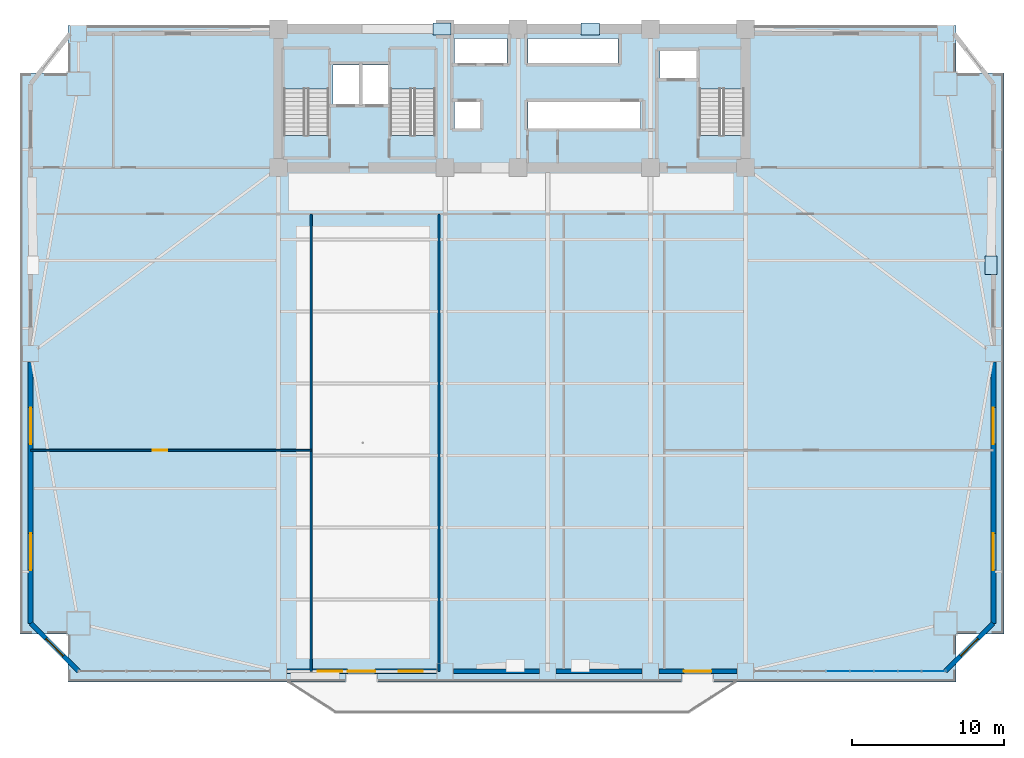
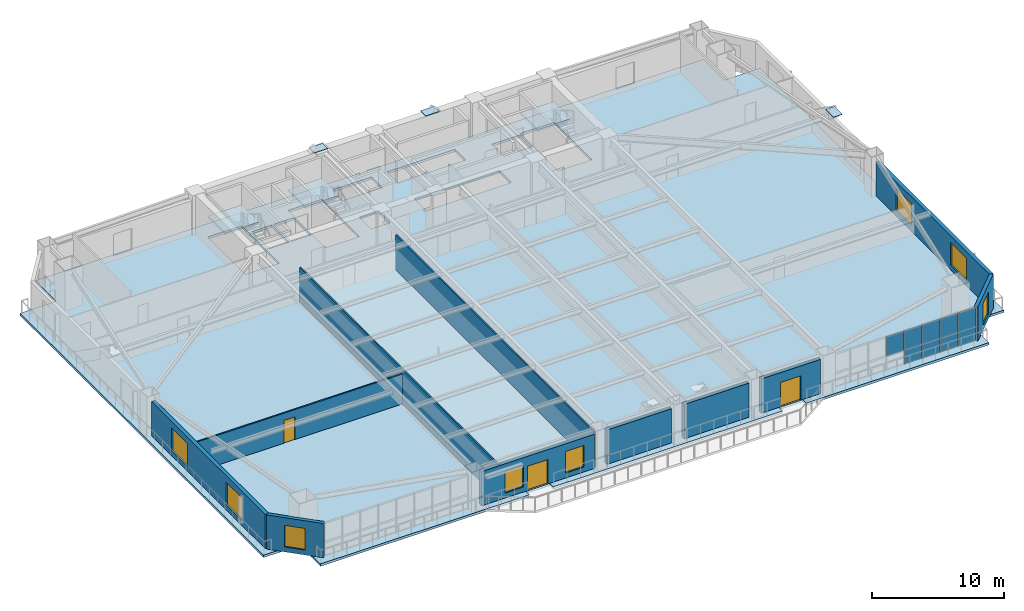
# One storey, part 8 of 17: 12 plates, 11 walls, 8 windows, 4 slabs, 3 doors, 11 openings, 4 elements without a shape of their own.
"""IFC4 building model written with IfcOpenShell, lengths in metres."""

from ifc_helpers import new_model, si_unit, direction, frame, frame_2d, origin, origin_2d, place, context, subcontext, project, spatial, polyline, rectangle, outline, extrude, source, transform, mapped, material, layer, layer_set, type_object, element, fill, aggregate, save


model = new_model("IFC4")

# Units and contexts
model_context = context("Model", 3, precision=1e-05, world=origin(), true_north=direction((0.0, 1.0)))
body_context = subcontext(model_context, "Body", "Model", "MODEL_VIEW")
ifc_project = project(units=[si_unit("LENGTHUNIT", "METRE"), si_unit("AREAUNIT", "SQUARE_METRE"), si_unit("VOLUMEUNIT", "CUBIC_METRE"), si_unit("PLANEANGLEUNIT", "RADIAN"), si_unit("MASSUNIT", "GRAM", prefix="KILO")], contexts=[model_context])

# Site, building, storey
site_placement = place(None, origin())
site = spatial("IfcSite", under=ifc_project, at=site_placement, CompositionType="ELEMENT")
building_placement = place(site_placement, origin())
building = spatial("IfcBuilding", under=site, at=building_placement, Name="Giltprow Tower", CompositionType="ELEMENT")
storey_placement = place(building_placement, frame((0.0, 0.0, 53.300048828125)))
storey = spatial("IfcBuildingStorey", under=building, at=storey_placement, Name="L13", CompositionType="ELEMENT", Elevation=53.300048828125)

# Slab
ifc_material_1 = material(Name="Concrete C40", Category="concrete")
ifc_layer_1 = layer(ifc_material_1, 0.219970703125, Name="Concrete C40")
ifc_layer_set_1 = layer_set([ifc_layer_1], Name="Concrete C40")
slab_type_1 = type_object("IfcSlabType", Name="SLB-OFF-220", PredefinedType="FLOOR", material=ifc_layer_set_1)
slab_1_placement = place(storey_placement, frame((0.0, 0.0, -0.219970703125)))
element("IfcSlab", 1, at=slab_1_placement, inside=storey, type_object=slab_type_1, Name="L13 Structural Composite Floor Slab", PredefinedType="FLOOR", context=body_context, shape_type="SweptSolid", body=[
    extrude(outline(polyline([(6.01806640625, 3.654052734375), (6.01806640625, 6.802001953125), (2.8701171875, 6.802001953125), (2.8701171875, 43.652099609375), (6.01806640625, 43.652099609375), (6.01806640625, 46.800048828125), (64.382080078125, 46.800048828125), (64.382080078125, 43.652099609375), (67.530029296875, 43.652099609375), (67.530029296875, 6.802001953125), (64.382080078125, 6.802001953125), (64.382080078125, 3.654052734375), (48.449951171875, 3.654052734375), (48.449951171875, 4.174072265625), (46.35009765625, 4.174072265625), (46.35009765625, 3.654052734375), (26.35009765625, 3.654052734375), (26.35009765625, 4.174072265625), (24.25, 4.174072265625), (24.25, 3.654052734375), (6.01806640625, 3.654052734375)]), holes=[polyline([(33.10009765625, 41.800048828125), (31.419921875, 41.800048828125), (31.419921875, 40.0), (33.10009765625, 40.0), (33.10009765625, 41.800048828125)]), polyline([(23.159912109375, 39.570068359375), (23.159912109375, 45.25), (20.199951171875, 45.25), (20.199951171875, 39.570068359375), (23.159912109375, 39.570068359375)]), polyline([(30.159912109375, 45.25), (27.199951171875, 45.25), (27.199951171875, 39.570068359375), (30.159912109375, 39.570068359375), (30.159912109375, 45.25)]), polyline([(25.169921875, 41.60009765625), (25.169921875, 44.199951171875), (23.449951171875, 44.199951171875), (23.449951171875, 41.60009765625), (25.169921875, 41.60009765625)]), polyline([(27.10009765625, 41.60009765625), (27.10009765625, 44.199951171875), (25.35009765625, 44.199951171875), (25.35009765625, 41.60009765625), (27.10009765625, 41.60009765625)]), polyline([(43.659912109375, 40.0), (43.659912109375, 41.800048828125), (36.239990234375, 41.800048828125), (36.239990234375, 40.0), (43.659912109375, 40.0)]), polyline([(50.4599609375, 39.570068359375), (50.4599609375, 45.25), (47.5, 45.25), (47.5, 39.570068359375), (50.4599609375, 39.570068359375)]), polyline([(47.3798828125, 45.10009765625), (44.919921875, 45.10009765625), (44.919921875, 43.300048828125), (47.3798828125, 43.300048828125), (47.3798828125, 45.10009765625)]), polyline([(34.8798828125, 44.300048828125), (34.8798828125, 45.919921875), (31.419921875, 45.919921875), (31.419921875, 44.300048828125), (34.8798828125, 44.300048828125)]), polyline([(42.169921875, 44.300048828125), (42.169921875, 45.919921875), (36.239990234375, 45.919921875), (36.239990234375, 44.300048828125), (42.169921875, 44.300048828125)])]), origin(), (0.0, 0.0, 1.0), 0.219970703125),
])

# Stair, slab
stair_type_1 = type_object("IfcStairType", Name="STR-ST-1", PredefinedType="HALF_TURN_STAIR", material=ifc_material_1)
stair_1_placement = place(storey_placement, origin())
stair_1 = element("IfcStair", 2, at=stair_1_placement, inside=storey, type_object=stair_type_1, Name="L13 Core Exit Stair ST-1", PredefinedType="HALF_TURN_STAIR")
ifc_layer_2 = layer(ifc_material_1, 0.179931640625, Name="Concrete C40")
ifc_layer_set_2 = layer_set([ifc_layer_2], Name="Concrete C40")
slab_type_2 = type_object("IfcSlabType", Name="SLD-ST-1", PredefinedType="LANDING", material=ifc_layer_set_2)
slab_2_placement = place(storey_placement, frame((0.0, 0.0, 1.77001953125)))
slab_2 = element("IfcSlab", 3, at=slab_2_placement, type_object=slab_type_2, Name="ST-1 landing 1", PredefinedType="LANDING", context=body_context, shape_type="SweptSolid", body=[
    extrude(outline(polyline([(23.159912109375, 42.6298828125), (23.159912109375, 45.25), (20.199951171875, 45.25), (20.199951171875, 42.6298828125), (23.159912109375, 42.6298828125)])), origin(), (0.0, 0.0, 1.0), 0.179931640625),
])
aggregate(stair_1, [slab_2])

stair_type_2 = type_object("IfcStairType", Name="STR-ST-2", PredefinedType="HALF_TURN_STAIR", material=ifc_material_1)
stair_2_placement = place(storey_placement, origin())
stair_2 = element("IfcStair", 4, at=stair_2_placement, inside=storey, type_object=stair_type_2, Name="L13 Core Exit Stair ST-2", PredefinedType="HALF_TURN_STAIR")
ifc_layer_3 = layer(ifc_material_1, 0.18798828125, Name="Concrete C40")
ifc_layer_set_3 = layer_set([ifc_layer_3], Name="Concrete C40")
slab_type_3 = type_object("IfcSlabType", Name="SLD-ST-2", PredefinedType="LANDING", material=ifc_layer_set_3)
slab_3_placement = place(storey_placement, frame((0.0, 0.0, 1.761962890625)))
slab_3 = element("IfcSlab", 5, at=slab_3_placement, type_object=slab_type_3, Name="ST-2 landing 1", PredefinedType="LANDING", context=body_context, shape_type="SweptSolid", body=[
    extrude(outline(polyline([(30.159912109375, 42.6298828125), (30.159912109375, 45.25), (27.199951171875, 45.25), (27.199951171875, 42.6298828125), (30.159912109375, 42.6298828125)])), origin(), (0.0, 0.0, 1.0), 0.18798828125),
])
aggregate(stair_2, [slab_3])

stair_type_3 = type_object("IfcStairType", Name="STR-ST-3", PredefinedType="HALF_TURN_STAIR", material=ifc_material_1)
stair_3_placement = place(storey_placement, origin())
stair_3 = element("IfcStair", 6, at=stair_3_placement, inside=storey, type_object=stair_type_3, Name="L13 Core Exit Stair ST-3", PredefinedType="HALF_TURN_STAIR")
ifc_layer_4 = layer(ifc_material_1, 0.196044921875, Name="Concrete C40")
ifc_layer_set_4 = layer_set([ifc_layer_4], Name="Concrete C40")
slab_type_4 = type_object("IfcSlabType", Name="SLD-ST-3", PredefinedType="LANDING", material=ifc_layer_set_4)
slab_4_placement = place(storey_placement, frame((0.0, 0.0, 1.75390625)))
slab_4 = element("IfcSlab", 7, at=slab_4_placement, type_object=slab_type_4, Name="ST-3 landing 1", PredefinedType="LANDING", context=body_context, shape_type="SweptSolid", body=[
    extrude(outline(polyline([(50.4599609375, 42.6298828125), (50.4599609375, 45.25), (47.5, 45.25), (47.5, 42.6298828125), (50.4599609375, 42.6298828125)])), origin(), (0.0, 0.0, 1.0), 0.196044921875),
])
aggregate(stair_3, [slab_4])

# Plates
ifc_material_2 = material(Name="Structural steel Q420GJC", Category="steel")
plate_type_1 = type_object("IfcPlateType", Name="PLT-CAP-SEAL", PredefinedType="USERDEFINED", material=ifc_material_2)
shared_shape_1 = source(origin(), body_context, "Body", "SweptSolid", [
    extrude(rectangle(XDim=1.199951171875, YDim=0.800048828125, at=origin_2d()), origin(), (0.0, 0.0, 1.0), 0.034912109375),
])
for number, where, z_axis, x_axis, name in (
    (8, (30.60595703125, 46.550048828125, 3.74267578125), (0.0, 0.0, 1.0), (1.0, 0.0, 0.0), "Mega-Brace Node L13-N-LB"),
    (9, (40.340087890625, 46.550048828125, 3.74267578125), (0.0, 0.0, 1.0), (1.0, 0.0, 0.0), "Mega-Brace Node L13-N-RB"),
    (10, (66.669921875, 31.027099609375, 3.88232421875), (0.0, 0.0, 1.0), (0.0, 1.0, 0.0), "Mega-Brace Node L13-E-RB"),
):
    element("IfcPlate", number, at=place(storey_placement, frame(where, z_axis=z_axis, x_axis=x_axis)), inside=storey, type_object=plate_type_1, Name=name, ObjectType="SPLICE", PredefinedType="USERDEFINED", context=body_context, shape_type="MappedRepresentation", body=[
        mapped(shared_shape_1, transform((0.0, 0.0, 0.0), x_axis=(1.0, 0.0, 0.0), y_axis=(0.0, 1.0, 0.0), z_axis=(0.0, 0.0, 1.0), scale=1.0)),
    ])

# Curtain wall, plates
ifc_material_3 = material(Name="Anodized bronze", Category="metal")
ifc_layer_5 = layer(ifc_material_3, 0.179931640625, Name="Anodized bronze")
ifc_layer_set_5 = layer_set([ifc_layer_5], Name="Anodized bronze")
curtain_wall_type = type_object("IfcCurtainWallType", Name="CW-OFF-RECESSED", PredefinedType="NOTDEFINED", material=ifc_layer_set_5)
curtain_wall_placement = place(storey_placement, origin())
curtain_wall = element("IfcCurtainWall", 11, at=curtain_wall_placement, inside=storey, type_object=curtain_wall_type, Name="L13 South Recessed Curtain Wall 6", PredefinedType="NOTDEFINED")
ifc_material_4 = material(Name="Insulated glass", Category="glass")
plate_type_2 = type_object("IfcPlateType", Name="CW-PANEL-IGU-28", PredefinedType="CURTAIN_PANEL", material=ifc_material_4)
shared_shape_2 = source(origin(), body_context, "Body", "SweptSolid", [
    extrude(rectangle(XDim=1.54296875, YDim=0.028076171875, at=origin_2d()), origin(), (0.0, 0.0, 1.0), 1.259033203125),
])
plate_1_placement = place(storey_placement, frame((58.177001953125, 4.35400390625, 0.05419921875), z_axis=(0.0, 0.0, 1.0), x_axis=(1.0, 0.0, 0.0)))
plate_1 = element("IfcPlate", 12, at=plate_1_placement, type_object=plate_type_2, Name="L13 South Recessed Curtain Wall 6 Glazing Panel 5-1", PredefinedType="CURTAIN_PANEL", context=body_context, shape_type="MappedRepresentation", body=[
    mapped(shared_shape_2, transform((0.0, 0.0, 0.0), x_axis=(1.0, 0.0, 0.0), y_axis=(0.0, 1.0, 0.0), z_axis=(0.0, 0.0, 1.0), scale=1.0)),
])
plate_2_placement = place(storey_placement, frame((59.75, 4.35400390625, 0.05419921875), z_axis=(0.0, 0.0, 1.0), x_axis=(1.0, 0.0, 0.0)))
plate_2 = element("IfcPlate", 13, at=plate_2_placement, type_object=plate_type_2, Name="L13 South Recessed Curtain Wall 6 Glazing Panel 6-1", PredefinedType="CURTAIN_PANEL", context=body_context, shape_type="MappedRepresentation", body=[
    mapped(shared_shape_2, transform((0.0, 0.0, 0.0), x_axis=(1.0, 0.0, 0.0), y_axis=(0.0, 1.0, 0.0), z_axis=(0.0, 0.0, 1.0), scale=1.0)),
])
plate_3_placement = place(storey_placement, frame((61.322998046875, 4.35400390625, 0.05419921875), z_axis=(0.0, 0.0, 1.0), x_axis=(1.0, 0.0, 0.0)))
plate_3 = element("IfcPlate", 14, at=plate_3_placement, type_object=plate_type_2, Name="L13 South Recessed Curtain Wall 6 Glazing Panel 7-1", PredefinedType="CURTAIN_PANEL", context=body_context, shape_type="MappedRepresentation", body=[
    mapped(shared_shape_2, transform((0.0, 0.0, 0.0), x_axis=(1.0, 0.0, 0.0), y_axis=(0.0, 1.0, 0.0), z_axis=(0.0, 0.0, 1.0), scale=1.0)),
])
plate_4_placement = place(storey_placement, frame((62.89599609375, 4.35400390625, 0.05419921875), z_axis=(0.0, 0.0, 1.0), x_axis=(1.0, 0.0, 0.0)))
plate_4 = element("IfcPlate", 15, at=plate_4_placement, type_object=plate_type_2, Name="L13 South Recessed Curtain Wall 6 Glazing Panel 8-1", PredefinedType="CURTAIN_PANEL", context=body_context, shape_type="MappedRepresentation", body=[
    mapped(shared_shape_2, transform((0.0, 0.0, 0.0), x_axis=(1.0, 0.0, 0.0), y_axis=(0.0, 1.0, 0.0), z_axis=(0.0, 0.0, 1.0), scale=1.0)),
])
shared_shape_3 = source(origin(), body_context, "Body", "SweptSolid", [
    extrude(rectangle(XDim=1.54296875, YDim=0.028076171875, at=origin_2d()), origin(), (0.0, 0.0, 1.0), 1.764892578125),
])
plate_5_placement = place(storey_placement, frame((56.60498046875, 4.35400390625, 1.34033203125), z_axis=(0.0, 0.0, 1.0), x_axis=(1.0, 0.0, 0.0)))
plate_5 = element("IfcPlate", 16, at=plate_5_placement, type_object=plate_type_2, Name="L13 South Recessed Curtain Wall 6 Glazing Panel 4-2", PredefinedType="CURTAIN_PANEL", context=body_context, shape_type="MappedRepresentation", body=[
    mapped(shared_shape_3, transform((0.0, 0.0, 0.0), x_axis=(1.0, 0.0, 0.0), y_axis=(0.0, 1.0, 0.0), z_axis=(0.0, 0.0, 1.0), scale=1.0)),
])
plate_6_placement = place(storey_placement, frame((58.177001953125, 4.35400390625, 1.34033203125), z_axis=(0.0, 0.0, 1.0), x_axis=(1.0, 0.0, 0.0)))
plate_6 = element("IfcPlate", 17, at=plate_6_placement, type_object=plate_type_2, Name="L13 South Recessed Curtain Wall 6 Glazing Panel 5-2", PredefinedType="CURTAIN_PANEL", context=body_context, shape_type="MappedRepresentation", body=[
    mapped(shared_shape_3, transform((0.0, 0.0, 0.0), x_axis=(1.0, 0.0, 0.0), y_axis=(0.0, 1.0, 0.0), z_axis=(0.0, 0.0, 1.0), scale=1.0)),
])
plate_7_placement = place(storey_placement, frame((59.75, 4.35400390625, 1.34033203125), z_axis=(0.0, 0.0, 1.0), x_axis=(1.0, 0.0, 0.0)))
plate_7 = element("IfcPlate", 18, at=plate_7_placement, type_object=plate_type_2, Name="L13 South Recessed Curtain Wall 6 Glazing Panel 6-2", PredefinedType="CURTAIN_PANEL", context=body_context, shape_type="MappedRepresentation", body=[
    mapped(shared_shape_3, transform((0.0, 0.0, 0.0), x_axis=(1.0, 0.0, 0.0), y_axis=(0.0, 1.0, 0.0), z_axis=(0.0, 0.0, 1.0), scale=1.0)),
])
plate_8_placement = place(storey_placement, frame((61.322998046875, 4.35400390625, 1.34033203125), z_axis=(0.0, 0.0, 1.0), x_axis=(1.0, 0.0, 0.0)))
plate_8 = element("IfcPlate", 19, at=plate_8_placement, type_object=plate_type_2, Name="L13 South Recessed Curtain Wall 6 Glazing Panel 7-2", PredefinedType="CURTAIN_PANEL", context=body_context, shape_type="MappedRepresentation", body=[
    mapped(shared_shape_3, transform((0.0, 0.0, 0.0), x_axis=(1.0, 0.0, 0.0), y_axis=(0.0, 1.0, 0.0), z_axis=(0.0, 0.0, 1.0), scale=1.0)),
])
plate_9_placement = place(storey_placement, frame((62.89599609375, 4.35400390625, 1.34033203125), z_axis=(0.0, 0.0, 1.0), x_axis=(1.0, 0.0, 0.0)))
plate_9 = element("IfcPlate", 20, at=plate_9_placement, type_object=plate_type_2, Name="L13 South Recessed Curtain Wall 6 Glazing Panel 8-2", PredefinedType="CURTAIN_PANEL", context=body_context, shape_type="MappedRepresentation", body=[
    mapped(shared_shape_3, transform((0.0, 0.0, 0.0), x_axis=(1.0, 0.0, 0.0), y_axis=(0.0, 1.0, 0.0), z_axis=(0.0, 0.0, 1.0), scale=1.0)),
])
aggregate(curtain_wall, [plate_5, plate_1, plate_6, plate_2, plate_7, plate_3, plate_8, plate_4, plate_9])

# Wall, opening, window
ifc_material_5 = material(Name="Precast concrete C40", Category="concrete")
ifc_layer_6 = layer(ifc_material_5, 0.300048828125, Name="Precast concrete C40")
ifc_layer_set_6 = layer_set([ifc_layer_6], Name="Precast concrete C40")
wall_type_1 = type_object("IfcWallType", Name="EW-NOTCH-CHAMFER-300", PredefinedType="SOLIDWALL", material=ifc_layer_set_6)
wall_1_placement = place(storey_placement, frame((3.570068359375, 7.501953125, 0.0), z_axis=(0.0, 0.0, 1.0), x_axis=(0.707106781187, -0.707106781187, 0.0)))
wall_1 = element("IfcWall", 21, at=wall_1_placement, inside=storey, type_object=wall_type_1, Name="L13 Corner Notch Wall SW", PredefinedType="SOLIDWALL", context=body_context, shape_type="SweptSolid", body=[
    extrude(rectangle(XDim=4.451904296875, YDim=0.300048828125, at=frame_2d((2.22607421875, 0.0))), origin(), (0.0, 0.0, 1.0), 3.159912109375),
])
opening_1_placement = place(wall_1_placement, frame((1.426025390625, 0.0, 0.449951171875)))
opening_1 = element("IfcOpeningElement", 22, at=opening_1_placement, cuts=wall_1, Name="Opening WN17", PredefinedType="OPENING", context=body_context, shape_type="SweptSolid", body=[
    extrude(rectangle(XDim=1.60009765625, YDim=2.0, at=frame_2d((0.800048828125, 1.0))), frame((0.0, 0.159912109375, 0.0), z_axis=(0.0, -1.0, 0.0), x_axis=(1.0, 0.0, 0.0)), (0.0, 0.0, 1.0), 0.320068359375),
])
window_type_1 = type_object("IfcWindowType", Name="WN-COR-1600x2000", PartitioningType="SINGLE_PANEL", PredefinedType="WINDOW", material=ifc_material_4)
shared_shape_4 = source(origin(), body_context, "Body", "SweptSolid", [
    extrude(rectangle(XDim=1.60009765625, YDim=2.0, at=frame_2d((0.800048828125, 1.0))), frame((0.0, 0.030029296875, 0.0), z_axis=(0.0, -1.0, 0.0), x_axis=(1.0, 0.0, 0.0)), (0.0, 0.0, 1.0), 0.06005859375),
])
window_1_placement = place(opening_1_placement, origin())
window_1 = element("IfcWindow", 23, at=window_1_placement, inside=storey, type_object=window_type_1, Name="L13 Corner Notch Window SW", OverallHeight=2.0, OverallWidth=1.60009765625, PartitioningType="SINGLE_PANEL", PredefinedType="WINDOW", context=body_context, shape_type="MappedRepresentation", body=[
    mapped(shared_shape_4, transform((0.0, 0.0, 0.0), x_axis=(1.0, 0.0, 0.0), y_axis=(0.0, 1.0, 0.0), z_axis=(0.0, 0.0, 1.0), scale=1.0)),
])
fill(opening_1, window_1)

wall_2_placement = place(storey_placement, frame((63.681884765625, 4.35400390625, 0.0), z_axis=(0.0, 0.0, 1.0), x_axis=(0.707134199585, 0.707079361725, 0.0)))
wall_2 = element("IfcWall", 24, at=wall_2_placement, inside=storey, type_object=wall_type_1, Name="L13 Corner Notch Wall SE", PredefinedType="SOLIDWALL", context=body_context, shape_type="SweptSolid", body=[
    extrude(rectangle(XDim=4.4521484375, YDim=0.300048828125, at=frame_2d((2.22607421875, 0.0))), origin(), (0.0, 0.0, 1.0), 3.159912109375),
])
opening_2_placement = place(wall_2_placement, frame((1.426025390625, 0.0, 0.449951171875)))
opening_2 = element("IfcOpeningElement", 25, at=opening_2_placement, cuts=wall_2, Name="Opening WN17", PredefinedType="OPENING", context=body_context, shape_type="SweptSolid", body=[
    extrude(rectangle(XDim=1.60009765625, YDim=2.0, at=frame_2d((0.800048828125, 1.0))), frame((0.0, 0.159912109375, 0.0), z_axis=(0.0, -1.0, 0.0), x_axis=(1.0, 0.0, 0.0)), (0.0, 0.0, 1.0), 0.320068359375),
])
window_2_placement = place(opening_2_placement, origin())
window_2 = element("IfcWindow", 26, at=window_2_placement, inside=storey, type_object=window_type_1, Name="L13 Corner Notch Window SE", OverallHeight=2.0, OverallWidth=1.60009765625, PartitioningType="SINGLE_PANEL", PredefinedType="WINDOW", context=body_context, shape_type="MappedRepresentation", body=[
    mapped(shared_shape_4, transform((0.0, 0.0, 0.0), x_axis=(1.0, 0.0, 0.0), y_axis=(0.0, 1.0, 0.0), z_axis=(0.0, 0.0, 1.0), scale=1.0)),
])
fill(opening_2, window_2)

# Wall, openings, windows, door
ifc_layer_7 = layer(ifc_material_5, 0.320068359375, Name="Precast concrete C40")
ifc_layer_set_7 = layer_set([ifc_layer_7], Name="Precast concrete C40")
wall_type_2 = type_object("IfcWallType", Name="EW-TOW-STONE-320", PredefinedType="SOLIDWALL", material=ifc_layer_set_7)
wall_3_placement = place(storey_placement, frame((20.39990234375, 4.35400390625, 0.0), z_axis=(0.0, 0.0, 1.0), x_axis=(1.0, 0.0, 0.0)))
wall_3 = element("IfcWall", 27, at=wall_3_placement, inside=storey, type_object=wall_type_2, Name="L13 South Expressed Frame Wall 2", PredefinedType="SOLIDWALL", context=body_context, shape_type="SweptSolid", body=[
    extrude(rectangle(XDim=9.85009765625, YDim=0.320068359375, at=frame_2d((4.925048828125, 0.0))), origin(), (0.0, 0.0, 1.0), 3.159912109375),
])
opening_3_placement = place(wall_3_placement, frame((4.0, 0.0, 0.0)))
opening_3 = element("IfcOpeningElement", 28, at=opening_3_placement, cuts=wall_3, Name="Opening ED25", PredefinedType="OPENING", context=body_context, shape_type="SweptSolid", body=[
    extrude(rectangle(XDim=1.800048828125, YDim=2.25, at=frame_2d((0.89990234375, 1.125))), frame((0.0, 0.169921875, 0.0), z_axis=(0.0, -1.0, 0.0), x_axis=(1.0, 0.0, 0.0)), (0.0, 0.0, 1.0), 0.340087890625),
])
opening_4_placement = place(wall_3_placement, frame((2.044921875, 0.0, 0.449951171875)))
opening_4 = element("IfcOpeningElement", 29, at=opening_4_placement, cuts=wall_3, Name="Opening WN17", PredefinedType="OPENING", context=body_context, shape_type="SweptSolid", body=[
    extrude(rectangle(XDim=1.60009765625, YDim=2.0, at=frame_2d((0.800048828125, 1.0))), frame((0.0, 0.169921875, 0.0), z_axis=(0.0, -1.0, 0.0), x_axis=(1.0, 0.0, 0.0)), (0.0, 0.0, 1.0), 0.340087890625),
])
opening_5_placement = place(wall_3_placement, frame((7.35009765625, 0.0, 0.449951171875)))
opening_5 = element("IfcOpeningElement", 30, at=opening_5_placement, cuts=wall_3, Name="Opening WN17", PredefinedType="OPENING", context=body_context, shape_type="SweptSolid", body=[
    extrude(rectangle(XDim=1.60009765625, YDim=2.0, at=frame_2d((0.800048828125, 1.0))), frame((0.0, 0.169921875, 0.0), z_axis=(0.0, -1.0, 0.0), x_axis=(1.0, 0.0, 0.0)), (0.0, 0.0, 1.0), 0.340087890625),
])
window_3_placement = place(opening_4_placement, origin())
window_3 = element("IfcWindow", 31, at=window_3_placement, inside=storey, type_object=window_type_1, Name="L13 South Window 2A", OverallHeight=2.0, OverallWidth=1.60009765625, PartitioningType="SINGLE_PANEL", PredefinedType="WINDOW", context=body_context, shape_type="MappedRepresentation", body=[
    mapped(shared_shape_4, transform((0.0, 0.0, 0.0), x_axis=(1.0, 0.0, 0.0), y_axis=(0.0, 1.0, 0.0), z_axis=(0.0, 0.0, 1.0), scale=1.0)),
])
fill(opening_4, window_3)
window_4_placement = place(opening_5_placement, origin())
window_4 = element("IfcWindow", 32, at=window_4_placement, inside=storey, type_object=window_type_1, Name="L13 South Window 2B", OverallHeight=2.0, OverallWidth=1.60009765625, PartitioningType="SINGLE_PANEL", PredefinedType="WINDOW", context=body_context, shape_type="MappedRepresentation", body=[
    mapped(shared_shape_4, transform((0.0, 0.0, 0.0), x_axis=(1.0, 0.0, 0.0), y_axis=(0.0, 1.0, 0.0), z_axis=(0.0, 0.0, 1.0), scale=1.0)),
])
fill(opening_5, window_4)
ifc_material_6 = material(Name="Anodized bronze and glass", Category="glass")
door_type_1 = type_object("IfcDoorType", Name="DR-BALC-SLIDE-1800", OperationType="SLIDING_TO_LEFT", PredefinedType="DOOR", material=ifc_material_6)
shared_shape_5 = source(origin(), body_context, "Body", "SweptSolid", [
    extrude(rectangle(XDim=1.800048828125, YDim=2.25, at=frame_2d((0.89990234375, 1.125))), frame((0.0, 0.02490234375, 0.0), z_axis=(0.0, -1.0, 0.0), x_axis=(1.0, 0.0, 0.0)), (0.0, 0.0, 1.0), 0.050048828125),
])
door_1_placement = place(opening_3_placement, origin())
door_1 = element("IfcDoor", 33, at=door_1_placement, inside=storey, type_object=door_type_1, Name="L13 Waterfront Balcony Sliding Door 1", OperationType="SLIDING_TO_LEFT", OverallHeight=2.25, OverallWidth=1.800048828125, PredefinedType="DOOR", context=body_context, shape_type="MappedRepresentation", body=[
    mapped(shared_shape_5, transform((0.0, 0.0, 0.0), x_axis=(1.0, 0.0, 0.0), y_axis=(0.0, 1.0, 0.0), z_axis=(0.0, 0.0, 1.0), scale=1.0)),
])
fill(opening_3, door_1)

# Walls
for number, where, z_axis, x_axis, name in (
    (34, (31.35009765625, 4.35400390625, 0.0), (0.0, 0.0, 1.0), (1.0, 0.0, 0.0), "L13 South Expressed Frame Wall 3"),
    (35, (38.10009765625, 4.35400390625, 0.0), (0.0, 0.0, 1.0), (1.0, 0.0, 0.0), "L13 South Expressed Frame Wall 4"),
):
    element("IfcWall", number, at=place(storey_placement, frame(where, z_axis=z_axis, x_axis=x_axis)), inside=storey, type_object=wall_type_2, Name=name, PredefinedType="SOLIDWALL", context=body_context, shape_type="SweptSolid", body=[
        extrude(rectangle(XDim=5.64990234375, YDim=0.320068359375, at=frame_2d((2.824951171875, 0.0))), origin(), (0.0, 0.0, 1.0), 3.159912109375),
    ])

# Wall, opening, door
wall_4_placement = place(storey_placement, frame((44.85009765625, 4.35400390625, 0.0), z_axis=(0.0, 0.0, 1.0), x_axis=(1.0, 0.0, 0.0)))
wall_4 = element("IfcWall", 36, at=wall_4_placement, inside=storey, type_object=wall_type_2, Name="L13 South Expressed Frame Wall 5", PredefinedType="SOLIDWALL", context=body_context, shape_type="SweptSolid", body=[
    extrude(rectangle(XDim=5.14990234375, YDim=0.320068359375, at=frame_2d((2.574951171875, 0.0))), origin(), (0.0, 0.0, 1.0), 3.159912109375),
])
opening_6_placement = place(wall_4_placement, frame((1.64990234375, 0.0, 0.0)))
opening_6 = element("IfcOpeningElement", 37, at=opening_6_placement, cuts=wall_4, Name="Opening ED25", PredefinedType="OPENING", context=body_context, shape_type="SweptSolid", body=[
    extrude(rectangle(XDim=1.800048828125, YDim=2.25, at=frame_2d((0.89990234375, 1.125))), frame((0.0, 0.169921875, 0.0), z_axis=(0.0, -1.0, 0.0), x_axis=(1.0, 0.0, 0.0)), (0.0, 0.0, 1.0), 0.340087890625),
])
door_2_placement = place(opening_6_placement, origin())
door_2 = element("IfcDoor", 38, at=door_2_placement, inside=storey, type_object=door_type_1, Name="L13 Waterfront Balcony Sliding Door 2", OperationType="SLIDING_TO_LEFT", OverallHeight=2.25, OverallWidth=1.800048828125, PredefinedType="DOOR", context=body_context, shape_type="MappedRepresentation", body=[
    mapped(shared_shape_5, transform((0.0, 0.0, 0.0), x_axis=(1.0, 0.0, 0.0), y_axis=(0.0, 1.0, 0.0), z_axis=(0.0, 0.0, 1.0), scale=1.0)),
])
fill(opening_6, door_2)

# Wall, openings, windows
wall_5_placement = place(storey_placement, frame((3.570068359375, 7.501953125, 0.0), z_axis=(0.0, 0.0, 1.0), x_axis=(0.0, 1.0, 0.0)))
wall_5 = element("IfcWall", 39, at=wall_5_placement, inside=storey, type_object=wall_type_2, Name="L13 W Wing Masonry Wall 1", PredefinedType="SOLIDWALL", context=body_context, shape_type="SweptSolid", body=[
    extrude(rectangle(XDim=17.175048828125, YDim=0.320068359375, at=frame_2d((8.58740234375, 0.0))), origin(), (0.0, 0.0, 1.0), 3.159912109375),
])
opening_7_placement = place(wall_5_placement, frame((3.506103515625, 0.0, 0.449951171875)))
opening_7 = element("IfcOpeningElement", 40, at=opening_7_placement, cuts=wall_5, Name="Opening WN29", PredefinedType="OPENING", context=body_context, shape_type="SweptSolid", body=[
    extrude(rectangle(XDim=2.39990234375, YDim=2.10009765625, at=frame_2d((1.199951171875, 1.050048828125))), frame((0.0, 0.169921875, 0.0), z_axis=(0.0, -1.0, 0.0), x_axis=(1.0, 0.0, 0.0)), (0.0, 0.0, 1.0), 0.340087890625),
])
opening_8_placement = place(wall_5_placement, frame((11.778076171875, 0.0, 0.449951171875)))
opening_8 = element("IfcOpeningElement", 41, at=opening_8_placement, cuts=wall_5, Name="Opening WN29", PredefinedType="OPENING", context=body_context, shape_type="SweptSolid", body=[
    extrude(rectangle(XDim=2.39990234375, YDim=2.10009765625, at=frame_2d((1.199951171875, 1.050048828125))), frame((0.0, 0.169921875, 0.0), z_axis=(0.0, -1.0, 0.0), x_axis=(1.0, 0.0, 0.0)), (0.0, 0.0, 1.0), 0.340087890625),
])
window_type_2 = type_object("IfcWindowType", Name="WN-OFF-2400x2100", PartitioningType="DOUBLE_PANEL_VERTICAL", PredefinedType="WINDOW", material=ifc_material_4)
shared_shape_6 = source(origin(), body_context, "Body", "SweptSolid", [
    extrude(rectangle(XDim=2.39990234375, YDim=2.10009765625, at=frame_2d((1.199951171875, 1.050048828125))), frame((0.0, 0.030029296875, 0.0), z_axis=(0.0, -1.0, 0.0), x_axis=(1.0, 0.0, 0.0)), (0.0, 0.0, 1.0), 0.06005859375),
])
window_5_placement = place(opening_7_placement, origin())
window_5 = element("IfcWindow", 42, at=window_5_placement, inside=storey, type_object=window_type_2, Name="L13 W Wing Window 1-1A", OverallHeight=2.10009765625, OverallWidth=2.39990234375, PartitioningType="SINGLE_PANEL", PredefinedType="WINDOW", context=body_context, shape_type="MappedRepresentation", body=[
    mapped(shared_shape_6, transform((0.0, 0.0, 0.0), x_axis=(1.0, 0.0, 0.0), y_axis=(0.0, 1.0, 0.0), z_axis=(0.0, 0.0, 1.0), scale=1.0)),
])
fill(opening_7, window_5)
window_6_placement = place(opening_8_placement, origin())
window_6 = element("IfcWindow", 43, at=window_6_placement, inside=storey, type_object=window_type_2, Name="L13 W Wing Window 1-1B", OverallHeight=2.10009765625, OverallWidth=2.39990234375, PartitioningType="SINGLE_PANEL", PredefinedType="WINDOW", context=body_context, shape_type="MappedRepresentation", body=[
    mapped(shared_shape_6, transform((0.0, 0.0, 0.0), x_axis=(1.0, 0.0, 0.0), y_axis=(0.0, 1.0, 0.0), z_axis=(0.0, 0.0, 1.0), scale=1.0)),
])
fill(opening_8, window_6)

wall_6_placement = place(storey_placement, frame((66.830078125, 7.501953125, 0.0), z_axis=(0.0, 0.0, 1.0), x_axis=(0.0, 1.0, 0.0)))
wall_6 = element("IfcWall", 44, at=wall_6_placement, inside=storey, type_object=wall_type_2, Name="L13 E Wing Masonry Wall 1", PredefinedType="SOLIDWALL", context=body_context, shape_type="SweptSolid", body=[
    extrude(rectangle(XDim=17.175048828125, YDim=0.320068359375, at=frame_2d((8.58740234375, 0.0))), origin(), (0.0, 0.0, 1.0), 3.159912109375),
])
opening_9_placement = place(wall_6_placement, frame((3.506103515625, 0.0, 0.449951171875)))
opening_9 = element("IfcOpeningElement", 45, at=opening_9_placement, cuts=wall_6, Name="Opening WN29", PredefinedType="OPENING", context=body_context, shape_type="SweptSolid", body=[
    extrude(rectangle(XDim=2.39990234375, YDim=2.10009765625, at=frame_2d((1.199951171875, 1.050048828125))), frame((0.0, 0.169921875, 0.0), z_axis=(0.0, -1.0, 0.0), x_axis=(1.0, 0.0, 0.0)), (0.0, 0.0, 1.0), 0.340087890625),
])
opening_10_placement = place(wall_6_placement, frame((11.778076171875, 0.0, 0.449951171875)))
opening_10 = element("IfcOpeningElement", 46, at=opening_10_placement, cuts=wall_6, Name="Opening WN29", PredefinedType="OPENING", context=body_context, shape_type="SweptSolid", body=[
    extrude(rectangle(XDim=2.39990234375, YDim=2.10009765625, at=frame_2d((1.199951171875, 1.050048828125))), frame((0.0, 0.169921875, 0.0), z_axis=(0.0, -1.0, 0.0), x_axis=(1.0, 0.0, 0.0)), (0.0, 0.0, 1.0), 0.340087890625),
])
window_7_placement = place(opening_9_placement, origin())
window_7 = element("IfcWindow", 47, at=window_7_placement, inside=storey, type_object=window_type_2, Name="L13 E Wing Window 1-1A", OverallHeight=2.10009765625, OverallWidth=2.39990234375, PartitioningType="SINGLE_PANEL", PredefinedType="WINDOW", context=body_context, shape_type="MappedRepresentation", body=[
    mapped(shared_shape_6, transform((0.0, 0.0, 0.0), x_axis=(1.0, 0.0, 0.0), y_axis=(0.0, 1.0, 0.0), z_axis=(0.0, 0.0, 1.0), scale=1.0)),
])
fill(opening_9, window_7)
window_8_placement = place(opening_10_placement, origin())
window_8 = element("IfcWindow", 48, at=window_8_placement, inside=storey, type_object=window_type_2, Name="L13 E Wing Window 1-1B", OverallHeight=2.10009765625, OverallWidth=2.39990234375, PartitioningType="SINGLE_PANEL", PredefinedType="WINDOW", context=body_context, shape_type="MappedRepresentation", body=[
    mapped(shared_shape_6, transform((0.0, 0.0, 0.0), x_axis=(1.0, 0.0, 0.0), y_axis=(0.0, 1.0, 0.0), z_axis=(0.0, 0.0, 1.0), scale=1.0)),
])
fill(opening_10, window_8)

# Wall, opening, door
ifc_material_7 = material(Name="Gypsum stud partition", Category="gypsum")
ifc_layer_8 = layer(ifc_material_7, 0.1201171875, Name="Gypsum stud partition")
ifc_layer_set_8 = layer_set([ifc_layer_8], Name="Gypsum stud partition")
wall_type_3 = type_object("IfcWallType", Name="IW-ROOM-120", PredefinedType="PARTITIONING", material=ifc_layer_set_8)
wall_7_placement = place(storey_placement, frame((3.570068359375, 18.8798828125, 0.0), z_axis=(0.0, 0.0, 1.0), x_axis=(1.0, 0.0, 0.0)))
wall_7 = element("IfcWall", 49, at=wall_7_placement, inside=storey, type_object=wall_type_3, Name="L13 Office Mid Wall 1", PredefinedType="PARTITIONING", context=body_context, shape_type="SweptSolid", body=[
    extrude(rectangle(XDim=18.429931640625, YDim=0.1201171875, at=frame_2d((9.21484375, 0.0))), origin(), (0.0, 0.0, 1.0), 2.764892578125),
])
opening_11_placement = place(wall_7_placement, frame((8.01904296875, 0.0, 0.0)))
opening_11 = element("IfcOpeningElement", 50, at=opening_11_placement, cuts=wall_7, Name="Opening ID11", PredefinedType="OPENING", context=body_context, shape_type="SweptSolid", body=[
    extrude(rectangle(XDim=0.949951171875, YDim=2.10009765625, at=frame_2d((0.47509765625, 1.050048828125))), frame((0.0, 0.070068359375, 0.0), z_axis=(0.0, -1.0, 0.0), x_axis=(1.0, 0.0, 0.0)), (0.0, 0.0, 1.0), 0.14013671875),
])
ifc_material_8 = material(Name="Engineered timber", Category="wood")
door_type_2 = type_object("IfcDoorType", Name="DR-ROOM-950", OperationType="SINGLE_SWING_RIGHT", PredefinedType="DOOR", material=ifc_material_8)
shared_shape_7 = source(origin(), body_context, "Body", "SweptSolid", [
    extrude(rectangle(XDim=0.949951171875, YDim=2.10009765625, at=frame_2d((0.47509765625, 1.050048828125))), frame((0.0, 0.02490234375, 0.0), z_axis=(0.0, -1.0, 0.0), x_axis=(1.0, 0.0, 0.0)), (0.0, 0.0, 1.0), 0.050048828125),
])
door_3_placement = place(opening_11_placement, origin())
door_3 = element("IfcDoor", 51, at=door_3_placement, inside=storey, type_object=door_type_2, Name="L13 Design Flagship Shop 1 Inner Door", OperationType="SINGLE_SWING_RIGHT", OverallHeight=2.10009765625, OverallWidth=0.949951171875, PredefinedType="DOOR", context=body_context, shape_type="MappedRepresentation", body=[
    mapped(shared_shape_7, transform((0.0, 0.0, 0.0), x_axis=(1.0, 0.0, 0.0), y_axis=(0.0, 1.0, 0.0), z_axis=(0.0, 0.0, 1.0), scale=1.0)),
])
fill(opening_11, door_3)

# Walls
wall_8_placement = place(storey_placement, frame((22.0, 4.35400390625, 0.0), z_axis=(0.0, 0.0, 1.0), x_axis=(0.0, 1.0, 0.0)))
element("IfcWall", 52, at=wall_8_placement, inside=storey, type_object=wall_type_3, Name="L13 Office Partition 1", PredefinedType="PARTITIONING", context=body_context, shape_type="SweptSolid", body=[
    extrude(rectangle(XDim=30.0458984375, YDim=0.1201171875, at=frame_2d((15.02294921875, 0.0))), origin(), (0.0, 0.0, 1.0), 3.1650390625),
])
wall_9_placement = place(storey_placement, frame((30.39990234375, 4.35400390625, 0.0), z_axis=(0.0, 0.0, 1.0), x_axis=(0.0, 1.0, 0.0)))
element("IfcWall", 53, at=wall_9_placement, inside=storey, type_object=wall_type_3, Name="L13 Office Partition 2", PredefinedType="PARTITIONING", context=body_context, shape_type="SweptSolid", body=[
    extrude(rectangle(XDim=30.0458984375, YDim=0.1201171875, at=frame_2d((15.02294921875, 0.0))), origin(), (0.0, 0.0, 1.0), 3.21484375),
])

save(model, "model.ifc")
